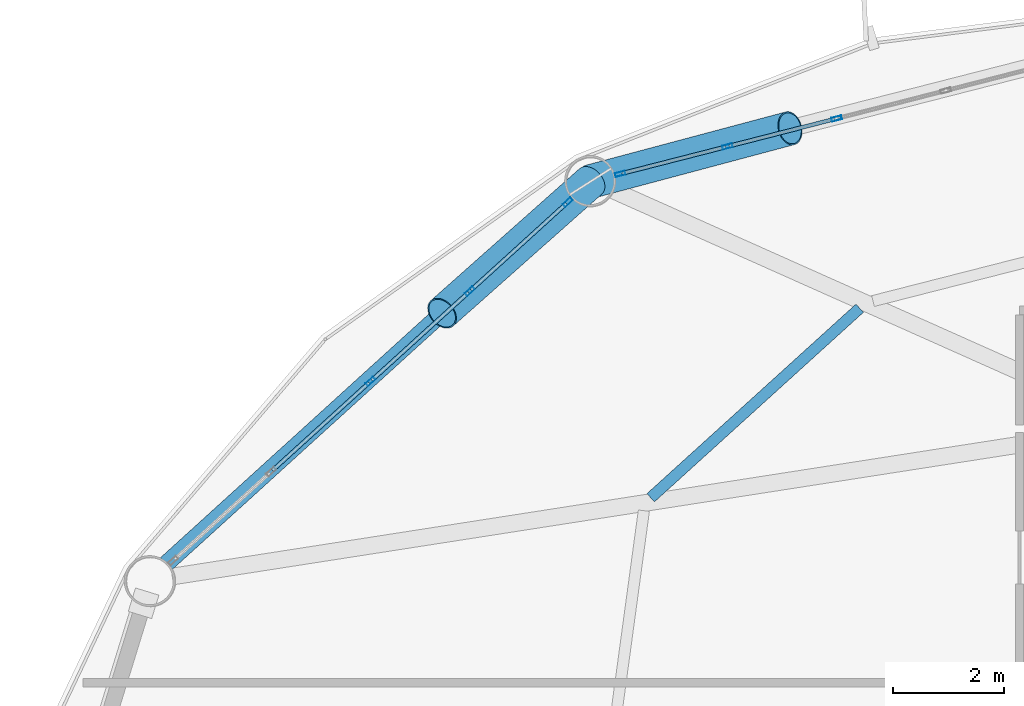
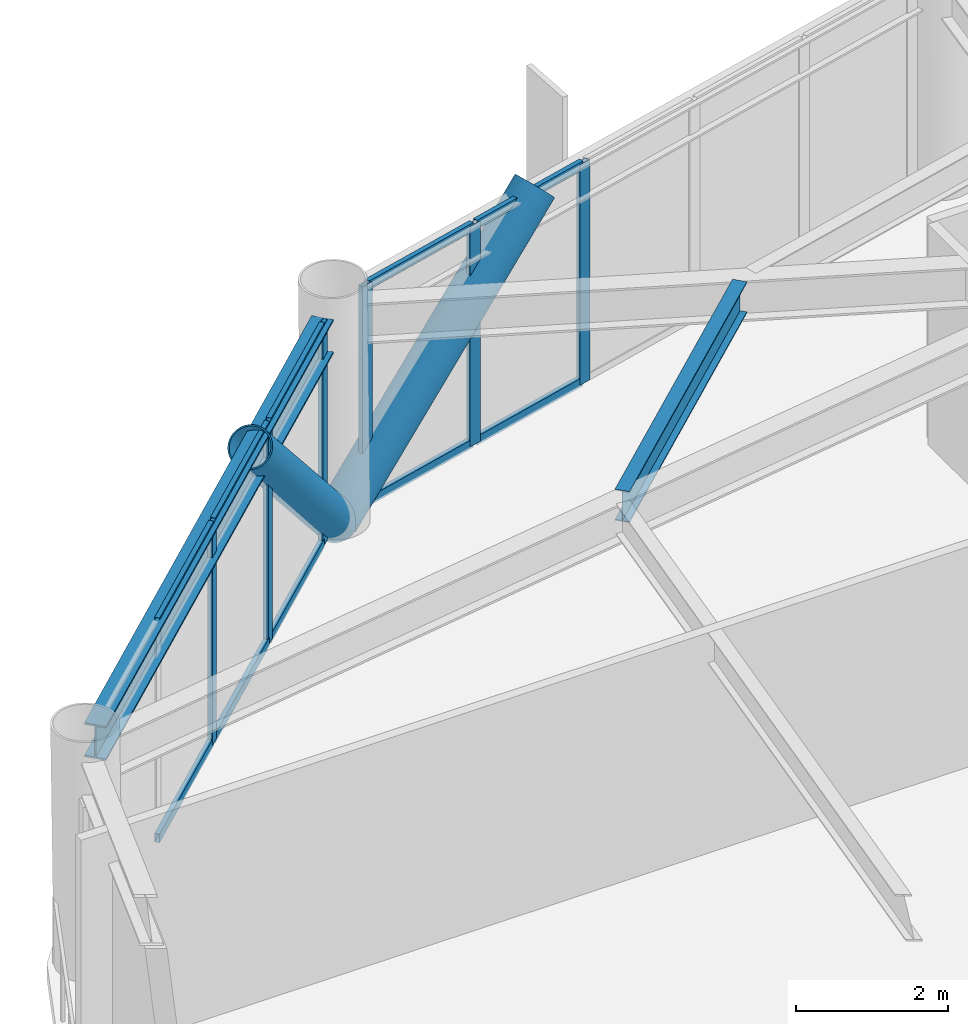
# One storey, part 15 of 25: 18 members, 2 beams, 2 elements without a shape of their own.
"""IFC4 building model written with IfcOpenShell, lengths in metres."""

import ifcopenshell
import ifcopenshell.guid

model = None  # the IFC model being written
_history = None  # IfcOwnerHistory: only IFC2X3 demands one
_inside = {}  # id of a spatial element -> (the spatial element, [elements in it])
_under = {}  # id of a project, library or spatial element -> (it, [spatial elements below it])
_declared = {}  # id of a project -> (the project, [libraries it declares])
_typed = {}  # id of a type object -> (the type object, [elements of that type])
_made_of = {}  # id of a material, layer set ... -> (it, [elements and type objects made of it])


def new_model(schema):
    """Start an empty IFC model of exactly this schema.

    Asked for "IFC4X3", IfcOpenShell would pick the latest addendum, in which some entities
    have other attributes; the version numbers below select the first issue.
    IFC2X3 requires an IfcOwnerHistory on every rooted entity: one is made here for all.
    """
    global model, _history
    if schema == "IFC4X3":
        model = ifcopenshell.file(schema_version=(4, 3, 0, 0))
    else:
        model = ifcopenshell.file(schema=schema)
    _inside.clear()
    _under.clear()
    _declared.clear()
    _typed.clear()
    _made_of.clear()
    _history = None
    if model.schema == "IFC2X3":
        org = make("IfcOrganization", Name="unknown")
        user = make(
            "IfcPersonAndOrganization",
            ThePerson=make("IfcPerson", FamilyName="unknown"),
            TheOrganization=org,
        )
        app = make(
            "IfcApplication",
            ApplicationDeveloper=org,
            Version="unknown",
            ApplicationFullName="unknown",
            ApplicationIdentifier="unknown",
        )
        _history = make(
            "IfcOwnerHistory",
            OwningUser=user,
            OwningApplication=app,
            ChangeAction="ADDED",
            CreationDate=0,
        )
    return model


def make(cls, **values):
    """One entity of the class cls with the attributes given. An attribute that is None is left unset."""
    return model.create_entity(
        cls, **{name: value for name, value in values.items() if value is not None}
    )


def rooted(cls, **values):
    """An entity with a GlobalId (a new one), such as an element, a storey or a relation."""
    return make(cls, GlobalId=ifcopenshell.guid.new(), OwnerHistory=_history, **values)


def si_unit(unit_type, name, prefix=None):
    """IfcSIUnit, for example si_unit("LENGTHUNIT", "METRE", prefix="MILLI")."""
    return make("IfcSIUnit", UnitType=unit_type, Prefix=prefix, Name=name)


def assignment(units):
    """IfcUnitAssignment: the units of a project."""
    return None if units is None else make("IfcUnitAssignment", Units=units)


def point(xyz):
    """IfcCartesianPoint."""
    return None if xyz is None else make("IfcCartesianPoint", Coordinates=xyz)


def direction(xyz):
    """IfcDirection."""
    return None if xyz is None else make("IfcDirection", DirectionRatios=xyz)


def frame(location, z_axis=None, x_axis=None):
    """IfcAxis2Placement3D, a coordinate frame: its origin and axes. An axis left out is left unset."""
    return make(
        "IfcAxis2Placement3D",
        Location=point(location),
        Axis=direction(z_axis),
        RefDirection=direction(x_axis),
    )


def frame_2d(location, x_axis=None):
    """IfcAxis2Placement2D, a coordinate frame in the plane: its origin and x axis."""
    return make(
        "IfcAxis2Placement2D", Location=point(location), RefDirection=direction(x_axis)
    )


def origin():
    """The frame at (0, 0, 0) with its axes left unset."""
    return frame((0.0, 0.0, 0.0))


def origin_2d():
    """The frame at (0, 0) in the plane with its x axis left unset."""
    return frame_2d((0.0, 0.0))


def place(relative_to, where):
    """IfcLocalPlacement: puts the frame where relative to a parent placement (None: the world)."""
    return make(
        "IfcLocalPlacement", PlacementRelTo=relative_to, RelativePlacement=where
    )


def context(
    kind, dimensions, precision=None, world=None, true_north=None, identifier=None
):
    """IfcGeometricRepresentationContext, for example the 3D "Model" context."""
    return make(
        "IfcGeometricRepresentationContext",
        ContextIdentifier=identifier,
        ContextType=kind,
        CoordinateSpaceDimension=dimensions,
        Precision=precision,
        WorldCoordinateSystem=world,
        TrueNorth=true_north,
    )


def subcontext(parent, identifier, kind, view, scale=None):
    """IfcGeometricRepresentationSubContext, for example "Body" below "Model"."""
    return make(
        "IfcGeometricRepresentationSubContext",
        ContextIdentifier=identifier,
        ContextType=kind,
        ParentContext=parent,
        TargetScale=scale,
        TargetView=view,
    )


def project(units=None, contexts=None):
    """IfcProject with its units and contexts."""
    return rooted(
        "IfcProject",
        Name="project",
        RepresentationContexts=contexts,
        UnitsInContext=assignment(units),
    )


def spatial(cls, under=None, at=None, **own):
    """A site, building, storey or space (cls), placed at a placement, below another one or the project."""
    s = rooted(cls, ObjectPlacement=at, **own)
    if under is not None:
        _under.setdefault(under.id(), (under, []))[1].append(s)
    return s


def profile(cls, at=None, kind="AREA", **sizes):
    """A parametric profile (cls). Its sizes go by their IFC names, for example OverallWidth=200.0."""
    return make(cls, ProfileType=kind, Position=at, **sizes)


def hollow_rectangle(**sizes):
    """IfcRectangleHollowProfileDef."""
    return profile("IfcRectangleHollowProfileDef", **sizes)


def hollow_circle(**sizes):
    """IfcCircleHollowProfileDef."""
    return profile("IfcCircleHollowProfileDef", **sizes)


def i_section(**sizes):
    """IfcIShapeProfileDef."""
    return profile("IfcIShapeProfileDef", **sizes)


def extrude(swept, where, along, depth):
    """IfcExtrudedAreaSolid: the profile swept, set in the frame where, extruded along a direction by depth."""
    return make(
        "IfcExtrudedAreaSolid",
        SweptArea=swept,
        Position=where,
        ExtrudedDirection=direction(along),
        Depth=depth,
    )


def shape(context_of_items, identifier, shape_type, items):
    """IfcShapeRepresentation: the items that make up one representation, for example the "Body"."""
    return make(
        "IfcShapeRepresentation",
        ContextOfItems=context_of_items,
        RepresentationIdentifier=identifier,
        RepresentationType=shape_type,
        Items=items,
    )


def material(Name=None, Category=None):
    """IfcMaterial."""
    return make("IfcMaterial", Name=Name, Category=Category)


def layer(
    of_material, thickness, ventilated=None, Name=None, Category=None, Priority=None
):
    """IfcMaterialLayer: one layer of a wall or slab, of a material (None: an air gap)."""
    return make(
        "IfcMaterialLayer",
        Material=of_material,
        LayerThickness=thickness,
        IsVentilated=ventilated,
        Name=Name,
        Category=Category,
        Priority=Priority,
    )


def layer_set(layers, Name=None):
    """IfcMaterialLayerSet."""
    return make("IfcMaterialLayerSet", MaterialLayers=layers, LayerSetName=Name)


def material_profile(
    of_material, cross_section, Name=None, Category=None, Priority=None
):
    """IfcMaterialProfile: a cross section and its material."""
    return make(
        "IfcMaterialProfile",
        Name=Name,
        Material=of_material,
        Profile=cross_section,
        Priority=Priority,
        Category=Category,
    )


def profile_set(profiles, Name=None, composite=None):
    """IfcMaterialProfileSet."""
    return make(
        "IfcMaterialProfileSet",
        Name=Name,
        MaterialProfiles=profiles,
        CompositeProfile=composite,
    )


def made_of(thing, what):
    """Note that an element or type object is made of a material, layer set ...; save() writes the relation."""
    if what is not None:
        _made_of.setdefault(what.id(), (what, []))[1].append(thing)
    return thing


def type_object(cls, material=None, **own):
    """A type object (cls), such as IfcWallType, which elements share."""
    return made_of(rooted(cls, **own), material)


def element(
    cls,
    number,
    at=None,
    inside=None,
    cuts=None,
    type_object=None,
    material=None,
    context=None,
    identifier="Body",
    shape_type=None,
    held_by="IfcProductDefinitionShape",
    body=None,
    shapes=None,
    **own,
):
    """One element of the class cls, such as IfcWall. Its Tag is "e" and its number.

    at: its placement. inside: the storey or other place that contains it. cuts: it is an
    opening in that element (IfcRelVoidsElement). A single representation is given by context,
    identifier, shape_type and body (its items); several are given by shapes. held_by: the class
    of the entity that holds the representations. save() writes the other relations.
    """
    e = rooted(cls, Tag="e%d" % number, ObjectPlacement=at, **own)
    if body is not None:
        shapes = [shape(context, identifier, shape_type, body)]
    if shapes is not None:
        e.Representation = make(held_by, Representations=shapes)
    if inside is not None:
        _inside.setdefault(inside.id(), (inside, []))[1].append(e)
    if cuts is not None:
        rooted(
            "IfcRelVoidsElement", RelatingBuildingElement=cuts, RelatedOpeningElement=e
        )
    if type_object is not None:
        _typed.setdefault(type_object.id(), (type_object, []))[1].append(e)
    return made_of(e, material)


def aggregate(whole, parts):
    """IfcRelAggregates: a whole, such as a stair, and the parts it consists of."""
    return rooted("IfcRelAggregates", RelatingObject=whole, RelatedObjects=parts)


def save(model, path):
    """Write the relations noted so far, then the file.

    IfcRelAggregates (storeys below a building ...), IfcRelContainedInSpatialStructure (elements
    in a storey), IfcRelDefinesByType, IfcRelAssociatesMaterial and IfcRelDeclares: one each for
    every whole, place, type object, material and project.
    """
    for whole, parts in _under.values():
        aggregate(whole, parts)
    for where, things in _inside.values():
        rooted(
            "IfcRelContainedInSpatialStructure",
            RelatedElements=things,
            RelatingStructure=where,
        )
    for kind, things in _typed.values():
        rooted("IfcRelDefinesByType", RelatedObjects=things, RelatingType=kind)
    for what, things in _made_of.values():
        rooted("IfcRelAssociatesMaterial", RelatedObjects=things, RelatingMaterial=what)
    for by, libraries in _declared.values():
        rooted("IfcRelDeclares", RelatingContext=by, RelatedDefinitions=libraries)
    model.write(path)


model = new_model("IFC4")

# Units and contexts
model_context = context("Model", 3, precision=1e-05, world=origin(), true_north=direction((0.0, 1.0)))
body_context = subcontext(model_context, "Body", "Model", "MODEL_VIEW")
ifc_project = project(units=[si_unit("LENGTHUNIT", "METRE"), si_unit("AREAUNIT", "SQUARE_METRE"), si_unit("VOLUMEUNIT", "CUBIC_METRE"), si_unit("PLANEANGLEUNIT", "RADIAN"), si_unit("MASSUNIT", "GRAM", prefix="KILO")], contexts=[model_context])

# Site, building, storey
site_placement = place(None, origin())
site = spatial("IfcSite", under=ifc_project, at=site_placement, CompositionType="ELEMENT")
building_placement = place(site_placement, origin())
building = spatial("IfcBuilding", under=site, at=building_placement, Name="Varnakorn Sky Granary", CompositionType="ELEMENT")
storey_placement = place(building_placement, frame((0.0, 0.0, 74.39990234375)))
storey = spatial("IfcBuildingStorey", under=building, at=storey_placement, Name="L18", CompositionType="ELEMENT", Elevation=74.39990234375)

# Beams
ifc_material_1 = material(Name="Steel S355JR", Category="steel")
ifc_material_profile_1 = material_profile(ifc_material_1, i_section(OverallWidth=0.199951171875, OverallDepth=0.5, WebThickness=0.01025390625, FlangeThickness=0.01611328125, at=origin_2d()), Name="IPE 500")
ifc_profile_set_1 = profile_set([ifc_material_profile_1], Name="Steel S355JR")
beam_type_1 = type_object("IfcBeamType", Name="BM-SEC-Z1", PredefinedType="BEAM", material=ifc_profile_set_1)
beam_1_placement = place(storey_placement, frame((-7.47265625, 14.73486328125, 3.300048828125), z_axis=(-0.740810350376, -0.671714243392, 0.0), x_axis=(0.671714243392, -0.740810350376, 0.0)))
element("IfcBeam", 1, at=beam_1_placement, inside=storey, type_object=beam_type_1, Name="Secondary Floor Chord Beam MSB05 L18", PredefinedType="BEAM", context=body_context, shape_type="SweptSolid", body=[
    extrude(i_section(OverallWidth=0.199951171875, OverallDepth=0.5, WebThickness=0.01025390625, FlangeThickness=0.01611328125, at=origin_2d()), origin(), (0.0, 0.0, 1.0), 5.073974609375),
])
ifc_material_profile_2 = material_profile(ifc_material_1, i_section(OverallWidth=0.300048828125, OverallDepth=0.550048828125, WebThickness=0.014892578125, FlangeThickness=0.029052734375, at=origin_2d()), Name="HE 550 B")
ifc_profile_set_2 = profile_set([ifc_material_profile_2], Name="Steel S355JR")
beam_type_2 = type_object("IfcBeamType", Name="BM-SPD-Z1", PredefinedType="SPANDREL", material=ifc_profile_set_2)
beam_2_placement = place(storey_placement, frame((-12.665283203125, 16.749755859375, 3.275146484375), z_axis=(-0.74030283962, -0.672273534843, 0.0), x_axis=(0.672273534843, -0.74030283962, 0.0)))
element("IfcBeam", 2, at=beam_2_placement, inside=storey, type_object=beam_type_2, Name="Perimeter Spandrel Ring Beam RB05 L18", PredefinedType="SPANDREL", context=body_context, shape_type="SweptSolid", body=[
    extrude(i_section(OverallWidth=0.300048828125, OverallDepth=0.550048828125, WebThickness=0.014892578125, FlangeThickness=0.029052734375, at=origin_2d()), origin(), (0.0, 0.0, 1.0), 9.833251953125),
])

# Curtain wall, members
ifc_material_2 = material(Name="Anodised Bronze Aluminium Alloy 6063-T6", Category="aluminium")
ifc_layer = layer(ifc_material_2, 0.18994140625, Name="Anodised Bronze Aluminium Alloy 6063-T6")
ifc_layer_set = layer_set([ifc_layer], Name="Anodised Bronze Aluminium Alloy 6063-T6")
curtain_wall_type = type_object("IfcCurtainWallType", Name="CW-FRM-1", PredefinedType="USERDEFINED", material=ifc_layer_set)
curtain_wall_1_placement = place(storey_placement, origin())
curtain_wall_1 = element("IfcCurtainWall", 3, at=curtain_wall_1_placement, inside=storey, type_object=curtain_wall_type, Name="Unitised Curtain Wall CW3 CW-L18-B04", ObjectType="CURTAIN WALL", PredefinedType="USERDEFINED")
ifc_material_profile_3 = material_profile(ifc_material_2, hollow_rectangle(XDim=0.070068359375, YDim=0.18505859375, WallThickness=0.00390625, at=origin_2d()), Name="ALU MULL 70x185")
ifc_profile_set_3 = profile_set([ifc_material_profile_3], Name="Anodised Bronze Aluminium Alloy 6063-T6")
member_type_1 = type_object("IfcMemberType", Name="CW-FRM-1-MULL", PredefinedType="MULLION", material=ifc_profile_set_3)
member_1_placement = place(storey_placement, frame((-11.77880859375, 17.15087890625, 0.0), z_axis=(0.0, 0.0, 1.0), x_axis=(-0.247900922341, 0.968785390426, 0.0)))
member_1 = element("IfcMember", 4, at=member_1_placement, type_object=member_type_1, Name="CW3 mullion 1", PredefinedType="MULLION", context=body_context, shape_type="SweptSolid", body=[
    extrude(hollow_rectangle(XDim=0.070068359375, YDim=0.18505859375, WallThickness=0.00390625, at=origin_2d()), origin(), (0.0, 0.0, 1.0), 3.550048828125),
])
member_2_placement = place(storey_placement, frame((-9.850341796875, 17.644287109375, 0.0), z_axis=(0.0, 0.0, 1.0), x_axis=(-0.247900922341, 0.968785390426, 0.0)))
member_2 = element("IfcMember", 5, at=member_2_placement, type_object=member_type_1, Name="CW3 mullion 2", PredefinedType="MULLION", context=body_context, shape_type="SweptSolid", body=[
    extrude(hollow_rectangle(XDim=0.070068359375, YDim=0.18505859375, WallThickness=0.00390625, at=origin_2d()), origin(), (0.0, 0.0, 1.0), 3.550048828125),
])
member_3_placement = place(storey_placement, frame((-7.887939453125, 18.146484375, 0.0), z_axis=(0.0, 0.0, 1.0), x_axis=(-0.247900922341, 0.968785390426, 0.0)))
member_3 = element("IfcMember", 6, at=member_3_placement, type_object=member_type_1, Name="CW3 mullion 3", PredefinedType="MULLION", context=body_context, shape_type="SweptSolid", body=[
    extrude(hollow_rectangle(XDim=0.070068359375, YDim=0.18505859375, WallThickness=0.00390625, at=origin_2d()), origin(), (0.0, 0.0, 1.0), 3.550048828125),
])

curtain_wall_2_placement = place(storey_placement, origin())
curtain_wall_2 = element("IfcCurtainWall", 7, at=curtain_wall_2_placement, inside=storey, type_object=curtain_wall_type, Name="Unitised Curtain Wall CW3 CW-L18-B05", ObjectType="CURTAIN WALL", PredefinedType="USERDEFINED")
member_4_placement = place(storey_placement, frame((-16.271484375, 13.41845703125, 0.0), z_axis=(0.0, 0.0, 1.0), x_axis=(-0.672398130197, 0.740189674683, 0.0)))
member_4 = element("IfcMember", 8, at=member_4_placement, type_object=member_type_1, Name="CW3 mullion 3", PredefinedType="MULLION", context=body_context, shape_type="SweptSolid", body=[
    extrude(hollow_rectangle(XDim=0.070068359375, YDim=0.18505859375, WallThickness=0.00390625, at=origin_2d()), origin(), (0.0, 0.0, 1.0), 3.550048828125),
])
member_5_placement = place(storey_placement, frame((-14.48388671875, 15.04248046875, 0.0), z_axis=(0.0, 0.0, 1.0), x_axis=(-0.672398130197, 0.740189674683, 0.0)))
member_5 = element("IfcMember", 9, at=member_5_placement, type_object=member_type_1, Name="CW3 mullion 4", PredefinedType="MULLION", context=body_context, shape_type="SweptSolid", body=[
    extrude(hollow_rectangle(XDim=0.070068359375, YDim=0.18505859375, WallThickness=0.00390625, at=origin_2d()), origin(), (0.0, 0.0, 1.0), 3.550048828125),
])
member_6_placement = place(storey_placement, frame((-12.72216796875, 16.642822265625, 0.0), z_axis=(0.0, 0.0, 1.0), x_axis=(-0.672398130197, 0.740189674683, 0.0)))
member_6 = element("IfcMember", 10, at=member_6_placement, type_object=member_type_1, Name="CW3 mullion 5", PredefinedType="MULLION", context=body_context, shape_type="SweptSolid", body=[
    extrude(hollow_rectangle(XDim=0.070068359375, YDim=0.18505859375, WallThickness=0.00390625, at=origin_2d()), origin(), (0.0, 0.0, 1.0), 3.550048828125),
])

# Member
ifc_material_profile_4 = material_profile(ifc_material_2, hollow_rectangle(XDim=0.070068359375, YDim=0.139892578125, WallThickness=0.00341796875, at=origin_2d()), Name="ALU TRAN 70x140")
ifc_profile_set_4 = profile_set([ifc_material_profile_4], Name="Anodised Bronze Aluminium Alloy 6063-T6")
member_type_2 = type_object("IfcMemberType", Name="CW-FRM-1-TRAN", PredefinedType="USERDEFINED", material=ifc_profile_set_4)
member_7_placement = place(storey_placement, frame((-11.744873046875, 17.159423828125, 0.03515625), z_axis=(0.968789216601, 0.247885969344, 0.0), x_axis=(-0.247885969344, 0.968789216601, 0.0)))
member_7 = element("IfcMember", 11, at=member_7_placement, type_object=member_type_2, Name="CW3 transom 1.1", ObjectType="TRANSOM", PredefinedType="USERDEFINED", context=body_context, shape_type="SweptSolid", body=[
    extrude(hollow_rectangle(XDim=0.070068359375, YDim=0.139892578125, WallThickness=0.00341796875, at=origin_2d()), origin(), (0.0, 0.0, 1.0), 1.920654296875),
])

member_8_placement = place(storey_placement, frame((-11.744873046875, 17.159423828125, 3.51513671875), z_axis=(0.968789216601, 0.247885969344, 0.0), x_axis=(-0.247885969344, 0.968789216601, 0.0)))
member_8 = element("IfcMember", 12, at=member_8_placement, type_object=member_type_2, Name="CW3 transom 1.2", ObjectType="TRANSOM", PredefinedType="USERDEFINED", context=body_context, shape_type="SweptSolid", body=[
    extrude(hollow_rectangle(XDim=0.070068359375, YDim=0.139892578125, WallThickness=0.00341796875, at=origin_2d()), origin(), (0.0, 0.0, 1.0), 1.920654296875),
])

member_9_placement = place(storey_placement, frame((-9.81640625, 17.65283203125, 0.03515625), z_axis=(0.968776209563, 0.247936797963, 0.0), x_axis=(-0.247936797963, 0.968776209563, 0.0)))
member_9 = element("IfcMember", 13, at=member_9_placement, type_object=member_type_2, Name="CW3 transom 2.1", ObjectType="TRANSOM", PredefinedType="USERDEFINED", context=body_context, shape_type="SweptSolid", body=[
    extrude(hollow_rectangle(XDim=0.070068359375, YDim=0.139892578125, WallThickness=0.00341796875, at=origin_2d()), origin(), (0.0, 0.0, 1.0), 1.95556640625),
])

member_10_placement = place(storey_placement, frame((-9.81640625, 17.65283203125, 3.51513671875), z_axis=(0.968776209563, 0.247936797963, 0.0), x_axis=(-0.247936797963, 0.968776209563, 0.0)))
member_10 = element("IfcMember", 14, at=member_10_placement, type_object=member_type_2, Name="CW3 transom 2.2", ObjectType="TRANSOM", PredefinedType="USERDEFINED", context=body_context, shape_type="SweptSolid", body=[
    extrude(hollow_rectangle(XDim=0.070068359375, YDim=0.139892578125, WallThickness=0.00341796875, at=origin_2d()), origin(), (0.0, 0.0, 1.0), 1.95556640625),
])

aggregate(curtain_wall_1, [member_1, member_2, member_3, member_7, member_8, member_9, member_10])

member_11_placement = place(storey_placement, frame((-18.033203125, 11.818115234375, 0.03515625), z_axis=(0.740180266474, 0.672408486801, 0.0), x_axis=(-0.672408486801, 0.740180266474, 0.0)))
member_11 = element("IfcMember", 15, at=member_11_placement, type_object=member_type_2, Name="CW3 transom 2.1", ObjectType="TRANSOM", PredefinedType="USERDEFINED", context=body_context, shape_type="SweptSolid", body=[
    extrude(hollow_rectangle(XDim=0.070068359375, YDim=0.139892578125, WallThickness=0.00341796875, at=origin_2d()), origin(), (0.0, 0.0, 1.0), 2.34521484375),
])

member_12_placement = place(storey_placement, frame((-18.033203125, 11.818115234375, 3.51513671875), z_axis=(0.740180266474, 0.672408486801, 0.0), x_axis=(-0.672408486801, 0.740180266474, 0.0)))
member_12 = element("IfcMember", 16, at=member_12_placement, type_object=member_type_2, Name="CW3 transom 2.2", ObjectType="TRANSOM", PredefinedType="USERDEFINED", context=body_context, shape_type="SweptSolid", body=[
    extrude(hollow_rectangle(XDim=0.070068359375, YDim=0.139892578125, WallThickness=0.00341796875, at=origin_2d()), origin(), (0.0, 0.0, 1.0), 2.34521484375),
])

member_13_placement = place(storey_placement, frame((-16.24560546875, 13.44189453125, 0.03515625), z_axis=(0.740180266474, 0.672408486801, 0.0), x_axis=(-0.672408486801, 0.740180266474, 0.0)))
member_13 = element("IfcMember", 17, at=member_13_placement, type_object=member_type_2, Name="CW3 transom 3.1", ObjectType="TRANSOM", PredefinedType="USERDEFINED", context=body_context, shape_type="SweptSolid", body=[
    extrude(hollow_rectangle(XDim=0.070068359375, YDim=0.139892578125, WallThickness=0.00341796875, at=origin_2d()), origin(), (0.0, 0.0, 1.0), 2.34521484375),
])

member_14_placement = place(storey_placement, frame((-16.24560546875, 13.44189453125, 3.51513671875), z_axis=(0.740180266474, 0.672408486801, 0.0), x_axis=(-0.672408486801, 0.740180266474, 0.0)))
member_14 = element("IfcMember", 18, at=member_14_placement, type_object=member_type_2, Name="CW3 transom 3.2", ObjectType="TRANSOM", PredefinedType="USERDEFINED", context=body_context, shape_type="SweptSolid", body=[
    extrude(hollow_rectangle(XDim=0.070068359375, YDim=0.139892578125, WallThickness=0.00341796875, at=origin_2d()), origin(), (0.0, 0.0, 1.0), 2.34521484375),
])

member_15_placement = place(storey_placement, frame((-14.4580078125, 15.06591796875, 0.03515625), z_axis=(0.740217373706, 0.672367637281, 0.0), x_axis=(-0.672367637281, 0.740217373706, 0.0)))
member_15 = element("IfcMember", 19, at=member_15_placement, type_object=member_type_2, Name="CW3 transom 4.1", ObjectType="TRANSOM", PredefinedType="USERDEFINED", context=body_context, shape_type="SweptSolid", body=[
    extrude(hollow_rectangle(XDim=0.070068359375, YDim=0.139892578125, WallThickness=0.00341796875, at=origin_2d()), origin(), (0.0, 0.0, 1.0), 2.31005859375),
])

member_16_placement = place(storey_placement, frame((-14.4580078125, 15.06591796875, 3.51513671875), z_axis=(0.740217373706, 0.672367637281, 0.0), x_axis=(-0.672367637281, 0.740217373706, 0.0)))
member_16 = element("IfcMember", 20, at=member_16_placement, type_object=member_type_2, Name="CW3 transom 4.2", ObjectType="TRANSOM", PredefinedType="USERDEFINED", context=body_context, shape_type="SweptSolid", body=[
    extrude(hollow_rectangle(XDim=0.070068359375, YDim=0.139892578125, WallThickness=0.00341796875, at=origin_2d()), origin(), (0.0, 0.0, 1.0), 2.31005859375),
])

aggregate(curtain_wall_2, [member_4, member_5, member_6, member_11, member_12, member_13, member_14, member_15, member_16])

# Members
ifc_material_3 = material(Name="Steel S460M", Category="steel")
ifc_material_profile_5 = material_profile(ifc_material_3, hollow_circle(Radius=0.304931640625, WallThickness=0.022216796875, at=origin_2d()), Name="CHS 610x22")
ifc_profile_set_5 = profile_set([ifc_material_profile_5], Name="Steel S460M")
member_type_3 = type_object("IfcMemberType", Name="MB-DIAG-T1", PredefinedType="BRACE", material=ifc_profile_set_5)
member_17_placement = place(storey_placement, frame((-12.3134765625, 17.013916015625, 0.0), z_axis=(0.698426209399, 0.186285006521, 0.691012826487), x_axis=(-0.257711752729, 0.966221844353, 0.0)))
element("IfcMember", 21, at=member_17_placement, inside=storey, type_object=member_type_3, Name="Perimeter CHS Diagrid Brace DG04 L18", PredefinedType="BRACE", context=body_context, shape_type="SweptSolid", body=[
    extrude(hollow_circle(Radius=0.304931640625, WallThickness=0.022216796875, at=origin_2d()), origin(), (0.0, 0.0, 1.0), 5.137451171875),
])
member_18_placement = place(storey_placement, frame((-12.3134765625, 17.013916015625, 0.0), z_axis=(-0.530266033352, -0.470560784376, 0.705259159515), x_axis=(0.663743646277, -0.747960140667, 0.0)))
element("IfcMember", 22, at=member_18_placement, inside=storey, type_object=member_type_3, Name="Perimeter CHS Diagrid Brace DG05 L18", PredefinedType="BRACE", context=body_context, shape_type="SweptSolid", body=[
    extrude(hollow_circle(Radius=0.304931640625, WallThickness=0.022216796875, at=origin_2d()), origin(), (0.0, 0.0, 1.0), 5.03369140625),
])

save(model, "model.ifc")
